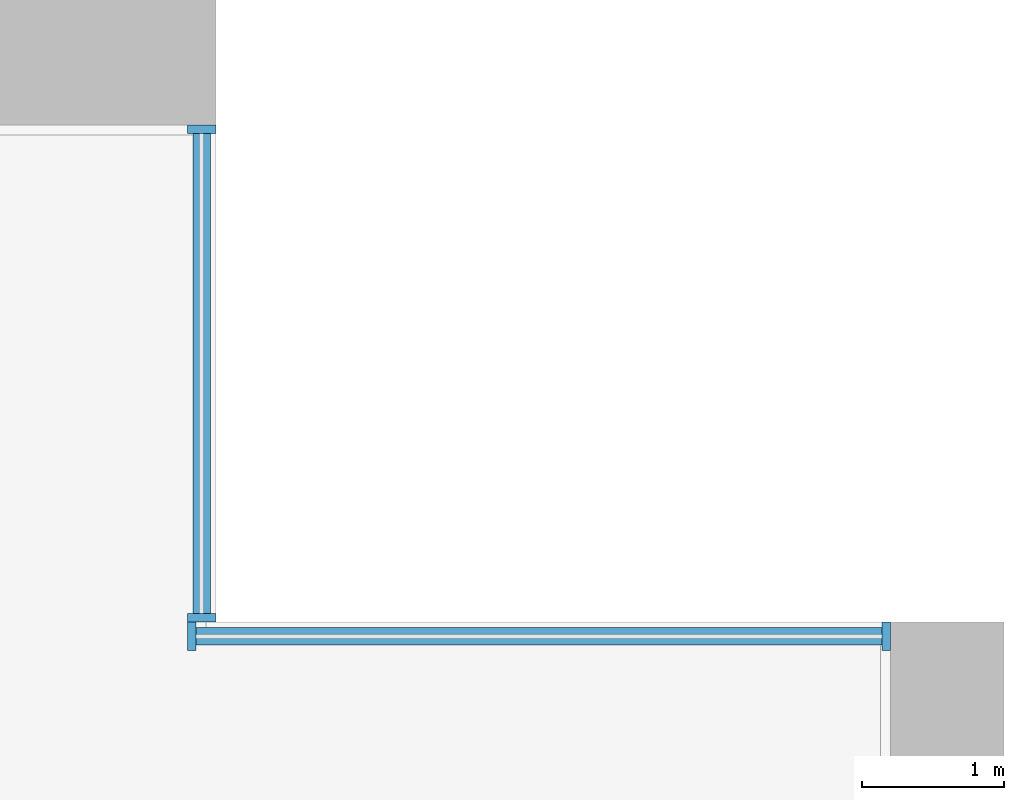
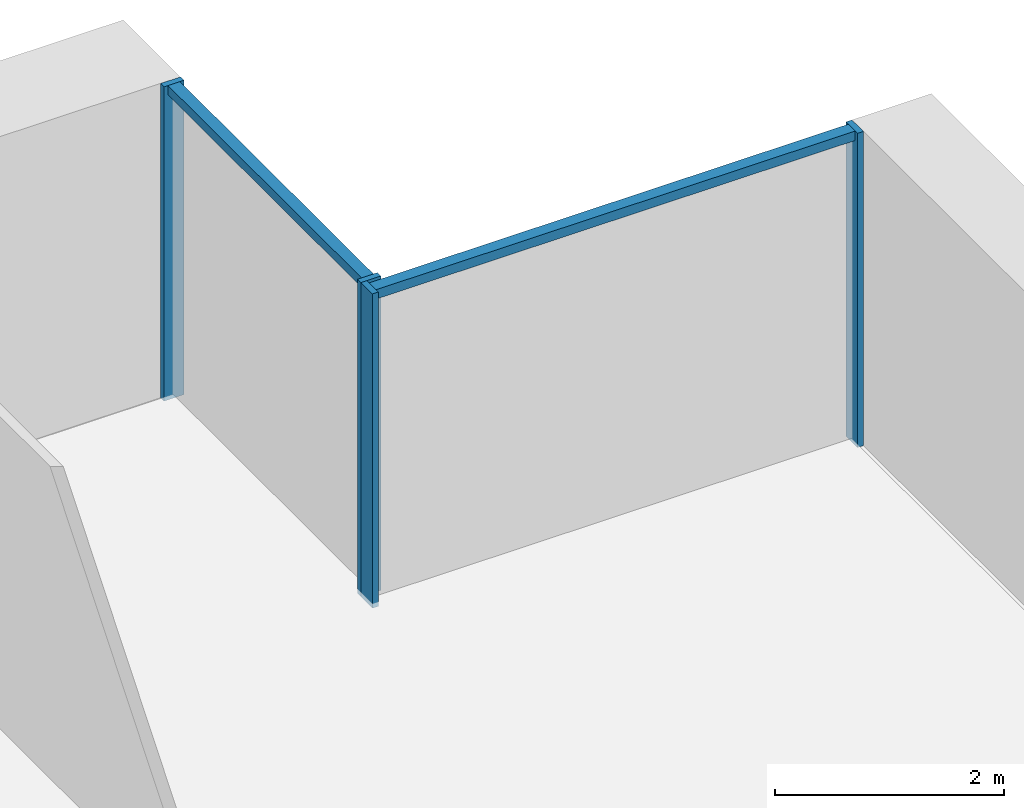
# One storey, part 6 of 18: 6 members, 2 elements without a shape of their own.
"""IFC4 building model written with IfcOpenShell, lengths in metres."""

from ifc_helpers import new_model, si_unit, direction, frame, origin, origin_2d, place, context, subcontext, project, spatial, rectangle, extrude, material, material_profile, profile_set, type_object, element, aggregate, save


model = new_model("IFC4")

# Units and contexts
model_context = context("Model", 3, precision=1e-05, world=origin(), true_north=direction((0.0, 1.0)))
body_context = subcontext(model_context, "Body", "Model", "MODEL_VIEW")
ifc_project = project(units=[si_unit("LENGTHUNIT", "METRE"), si_unit("AREAUNIT", "SQUARE_METRE"), si_unit("VOLUMEUNIT", "CUBIC_METRE"), si_unit("PLANEANGLEUNIT", "RADIAN"), si_unit("MASSUNIT", "GRAM", prefix="KILO")], contexts=[model_context])

# Site, building, storey
site_placement = place(None, origin())
site = spatial("IfcSite", under=ifc_project, at=site_placement, CompositionType="ELEMENT")
building_placement = place(site_placement, origin())
building = spatial("IfcBuilding", under=site, at=building_placement, Name="Calvaro Tower", CompositionType="ELEMENT")
storey_placement = place(building_placement, frame((0.0, 0.0, 22.5)))
storey = spatial("IfcBuildingStorey", under=building, at=storey_placement, Name="L04", CompositionType="ELEMENT", Elevation=22.5)

# Curtain wall, members
ifc_material_1 = material(Name="Anodised aluminium", Category="aluminium")
curtain_wall_type = type_object("IfcCurtainWallType", Name="Office curtain wall, lower zone", PredefinedType="NOTDEFINED", material=ifc_material_1)
curtain_wall_1_placement = place(storey_placement, origin())
curtain_wall_1 = element("IfcCurtainWall", 1, at=curtain_wall_1_placement, inside=storey, type_object=curtain_wall_type, Name="CW1 corner curtain wall", PredefinedType="NOTDEFINED")
ifc_material_2 = material(Name="Anodised aluminium", Category="aluminium")
ifc_material_profile_1 = material_profile(ifc_material_2, rectangle(XDim=0.199951171875, YDim=0.06005859375, at=origin_2d()), Name="Mullion S1 60 x 200")
ifc_profile_set_1 = profile_set([ifc_material_profile_1], Name="Anodised aluminium")
member_type_1 = type_object("IfcMemberType", Name="Mullion S1 60 x 200", PredefinedType="MULLION", material=ifc_profile_set_1)
member_1_placement = place(storey_placement, frame((72.35009765625, 41.530029296875, 0.0), z_axis=(0.0, 0.0, 1.0), x_axis=(-1.0, 0.0, 0.0)))
member_1 = element("IfcMember", 2, at=member_1_placement, type_object=member_type_1, Name="CW1 mullion 1", PredefinedType="MULLION", context=body_context, shape_type="SweptSolid", body=[
    extrude(rectangle(XDim=0.199951171875, YDim=0.06005859375, at=origin_2d()), origin(), (0.0, 0.0, 1.0), 3.35009765625),
])
member_2_placement = place(storey_placement, frame((72.35009765625, 44.969970703125, 0.0), z_axis=(0.0, 0.0, 1.0), x_axis=(-1.0, 0.0, 0.0)))
member_2 = element("IfcMember", 3, at=member_2_placement, type_object=member_type_1, Name="CW1 mullion 2", PredefinedType="MULLION", context=body_context, shape_type="SweptSolid", body=[
    extrude(rectangle(XDim=0.199951171875, YDim=0.06005859375, at=origin_2d()), origin(), (0.0, 0.0, 1.0), 3.35009765625),
])

curtain_wall_2_placement = place(storey_placement, origin())
curtain_wall_2 = element("IfcCurtainWall", 4, at=curtain_wall_2_placement, inside=storey, type_object=curtain_wall_type, Name="CW1 corner curtain wall", PredefinedType="NOTDEFINED")
member_3_placement = place(storey_placement, frame((72.280029296875, 41.39990234375, 0.0), z_axis=(0.0, 0.0, 1.0), x_axis=(0.0, 1.0, 0.0)))
member_3 = element("IfcMember", 5, at=member_3_placement, type_object=member_type_1, Name="CW1 mullion 1", PredefinedType="MULLION", context=body_context, shape_type="SweptSolid", body=[
    extrude(rectangle(XDim=0.199951171875, YDim=0.06005859375, at=origin_2d()), origin(), (0.0, 0.0, 1.0), 3.35009765625),
])
member_4_placement = place(storey_placement, frame((77.169921875, 41.39990234375, 0.0), z_axis=(0.0, 0.0, 1.0), x_axis=(0.0, 1.0, 0.0)))
member_4 = element("IfcMember", 6, at=member_4_placement, type_object=member_type_1, Name="CW1 mullion 2", PredefinedType="MULLION", context=body_context, shape_type="SweptSolid", body=[
    extrude(rectangle(XDim=0.199951171875, YDim=0.06005859375, at=origin_2d()), origin(), (0.0, 0.0, 1.0), 3.35009765625),
])

# Member
ifc_material_3 = material(Name="Anodised aluminium", Category="aluminium")
ifc_material_profile_2 = material_profile(ifc_material_3, rectangle(XDim=0.1201171875, YDim=0.10009765625, at=origin_2d()), Name="Transom S1 100 x 120")
ifc_profile_set_2 = profile_set([ifc_material_profile_2], Name="Anodised aluminium")
member_type_2 = type_object("IfcMemberType", Name="Transom S1 100 x 120", PredefinedType="USERDEFINED", material=ifc_profile_set_2)
member_5_placement = place(storey_placement, frame((72.35009765625, 41.56005859375, 3.300048828125), z_axis=(0.0, 1.0, 0.0), x_axis=(-1.0, 0.0, 0.0)))
member_5 = element("IfcMember", 7, at=member_5_placement, type_object=member_type_2, Name="CW1 transom 1.1", ObjectType="TRANSOM", PredefinedType="USERDEFINED", context=body_context, shape_type="SweptSolid", body=[
    extrude(rectangle(XDim=0.1201171875, YDim=0.10009765625, at=origin_2d()), origin(), (0.0, 0.0, 1.0), 3.3798828125),
])

aggregate(curtain_wall_1, [member_1, member_2, member_5])

member_6_placement = place(storey_placement, frame((72.31005859375, 41.39990234375, 3.300048828125), z_axis=(1.0, 0.0, 0.0), x_axis=(0.0, 1.0, 0.0)))
member_6 = element("IfcMember", 8, at=member_6_placement, type_object=member_type_2, Name="CW1 transom 1.1", ObjectType="TRANSOM", PredefinedType="USERDEFINED", context=body_context, shape_type="SweptSolid", body=[
    extrude(rectangle(XDim=0.1201171875, YDim=0.10009765625, at=origin_2d()), origin(), (0.0, 0.0, 1.0), 4.829833984375),
])

aggregate(curtain_wall_2, [member_3, member_4, member_6])

save(model, "model.ifc")
